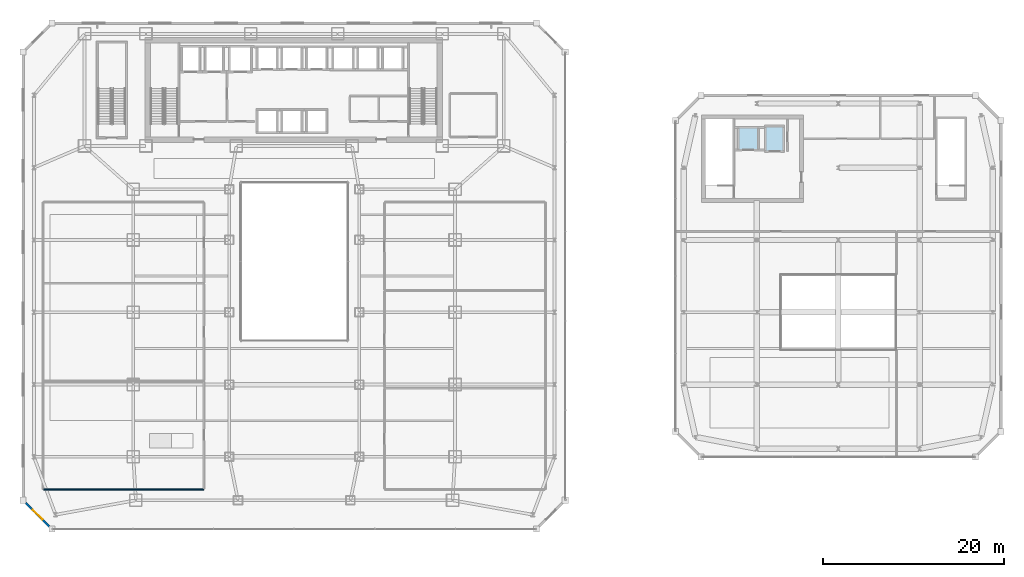
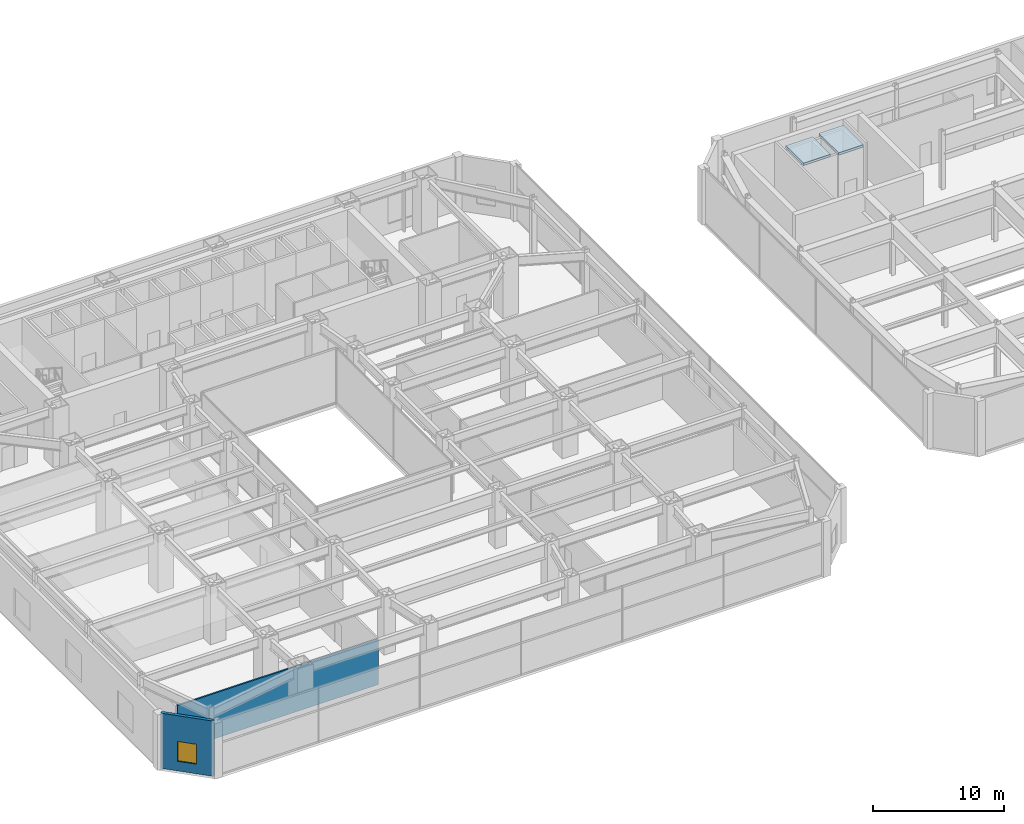
# One storey, part 42 of 53: 2 slabs, 2 walls, 1 window, 1 opening.
"""IFC4 building model written with IfcOpenShell, lengths in metres."""

from ifc_helpers import new_model, si_unit, direction, frame, frame_2d, origin, place, context, subcontext, project, spatial, polyline, rectangle, outline, extrude, material, layer, layer_set, type_object, element, fill, save


model = new_model("IFC4")

# Units and contexts
model_context = context("Model", 3, precision=1e-05, world=origin(), true_north=direction((0.0, 1.0)))
body_context = subcontext(model_context, "Body", "Model", "MODEL_VIEW")
ifc_project = project(units=[si_unit("LENGTHUNIT", "METRE"), si_unit("AREAUNIT", "SQUARE_METRE"), si_unit("VOLUMEUNIT", "CUBIC_METRE"), si_unit("PLANEANGLEUNIT", "RADIAN"), si_unit("MASSUNIT", "GRAM", prefix="KILO")], contexts=[model_context])

# Site, building, storey
site_placement = place(None, origin())
site = spatial("IfcSite", under=ifc_project, at=site_placement, CompositionType="ELEMENT")
building_placement = place(site_placement, origin())
building = spatial("IfcBuilding", under=site, at=building_placement, Name="Saevonmaru Cultural Tower", CompositionType="ELEMENT")
storey_placement = place(building_placement, frame((0.0, 0.0, 22.199951171875)))
storey = spatial("IfcBuildingStorey", under=building, at=storey_placement, Name="L04", CompositionType="ELEMENT", Elevation=22.199951171875)

# Slabs
ifc_material_1 = material(Name="Concrete C40/50", Category="concrete")
ifc_layer_1 = layer(ifc_material_1, 0.219970703125, Name="Concrete C40/50")
ifc_layer_set_1 = layer_set([ifc_layer_1], Name="Concrete C40/50")
slab_type = type_object("IfcSlabType", Name="SL-SHAFT-CAP-220", PredefinedType="ROOF", material=ifc_layer_set_1)
slab_1_placement = place(storey_placement, frame((0.0, 0.0, 4.880126953125)))
element("IfcSlab", 1, at=slab_1_placement, inside=storey, type_object=slab_type, Name="Lift LLF-1 Overrun Cap Slab", PredefinedType="ROOF", context=body_context, shape_type="SweptSolid", body=[
    extrude(outline(polyline([(79.050048828125, 41.85009765625), (81.449951171875, 41.85009765625), (81.449951171875, 44.550048828125), (79.050048828125, 44.550048828125), (79.050048828125, 41.85009765625)])), origin(), (0.0, 0.0, 1.0), 0.219970703125),
])
slab_2_placement = place(storey_placement, frame((0.0, 0.0, 4.880126953125)))
element("IfcSlab", 2, at=slab_2_placement, inside=storey, type_object=slab_type, Name="Lift LLF-2 Overrun Cap Slab", PredefinedType="ROOF", context=body_context, shape_type="SweptSolid", body=[
    extrude(outline(polyline([(82.050048828125, 41.699951171875), (84.25, 41.699951171875), (84.25, 44.699951171875), (82.050048828125, 44.699951171875), (82.050048828125, 41.699951171875)])), origin(), (0.0, 0.0, 1.0), 0.219970703125),
])

# Wall, opening, window
ifc_material_2 = material(Name="Granite-Clad Precast Concrete C40/50", Category="masonry")
ifc_layer_2 = layer(ifc_material_2, 0.260009765625, Name="Granite-Clad Precast Concrete C40/50")
ifc_layer_set_2 = layer_set([ifc_layer_2], Name="Granite-Clad Precast Concrete C40/50")
wall_type_1 = type_object("IfcWallType", Name="WL-EXT-SPANDREL-260", PredefinedType="STANDARD", material=ifc_layer_set_2)
wall_1_placement = place(storey_placement, frame((0.113037109375, 3.0869140625, 0.0), z_axis=(0.0, 0.0, 1.0), x_axis=(0.707106781187, -0.707106781187, 0.0)))
wall_1 = element("IfcWall", 3, at=wall_1_placement, inside=storey, type_object=wall_type_1, Name="L04 Podium Bronze-Granite Exterior Wall E1", PredefinedType="STANDARD", context=body_context, shape_type="SweptSolid", body=[
    extrude(rectangle(XDim=4.205810546875, YDim=0.260009765625, at=frame_2d((2.10302734375, 0.0))), origin(), (0.0, 0.0, 1.0), 5.150146484375),
])
opening_placement = place(wall_1_placement, frame((1.35302734375, 0.0, 0.89990234375)))
opening = element("IfcOpeningElement", 4, at=opening_placement, cuts=wall_1, Name="Opening W-2B", PredefinedType="OPENING", context=body_context, shape_type="SweptSolid", body=[
    extrude(rectangle(XDim=1.5, YDim=1.85009765625, at=frame_2d((0.75, 0.925048828125))), frame((0.0, 0.14013671875, 0.0), z_axis=(0.0, -1.0, 0.0), x_axis=(1.0, 0.0, 0.0)), (0.0, 0.0, 1.0), 0.280029296875),
])
ifc_material_3 = material(Name="Satin Bronze Anodised Aluminium", Category="aluminium")
window_type = type_object("IfcWindowType", Name="WN-DECO-1500x1850", PartitioningType="SINGLE_PANEL", PredefinedType="WINDOW", material=ifc_material_3)
window_placement = place(opening_placement, origin())
window = element("IfcWindow", 5, at=window_placement, inside=storey, type_object=window_type, Name="L04 Chamfer Bay Window E1", OverallHeight=1.85009765625, OverallWidth=1.5, PartitioningType="SINGLE_PANEL", PredefinedType="WINDOW", context=body_context, shape_type="SweptSolid", body=[
    extrude(rectangle(XDim=1.5, YDim=1.85009765625, at=frame_2d((0.75, 0.925048828125))), frame((0.0, 0.030029296875, 0.0), z_axis=(0.0, -1.0, 0.0), x_axis=(1.0, 0.0, 0.0)), (0.0, 0.0, 1.0), 0.06005859375),
])
fill(opening, window)

# Wall
ifc_material_4 = material(Name="Gypsum Fireboard Partition", Category="gypsum")
ifc_layer_3 = layer(ifc_material_4, 0.135009765625, Name="Gypsum Fireboard Partition")
ifc_layer_set_3 = layer_set([ifc_layer_3], Name="Gypsum Fireboard Partition")
wall_type_2 = type_object("IfcWallType", Name="WL-PART-GYP-135", PredefinedType="PARTITIONING", material=ifc_layer_set_3)
wall_2_placement = place(storey_placement, frame((2.294921875, 4.39990234375, 0.0), z_axis=(0.0, 0.0, 1.0), x_axis=(1.0, 0.0, 0.0)))
element("IfcWall", 6, at=wall_2_placement, inside=storey, type_object=wall_type_2, Name="L04 West Gallery Split 4.4", PredefinedType="PARTITIONING", context=body_context, shape_type="SweptSolid", body=[
    extrude(rectangle(XDim=17.705078125, YDim=0.135009765625, at=frame_2d((8.8525390625, 0.0))), origin(), (0.0, 0.0, 1.0), 4.235107421875),
])

save(model, "model.ifc")
